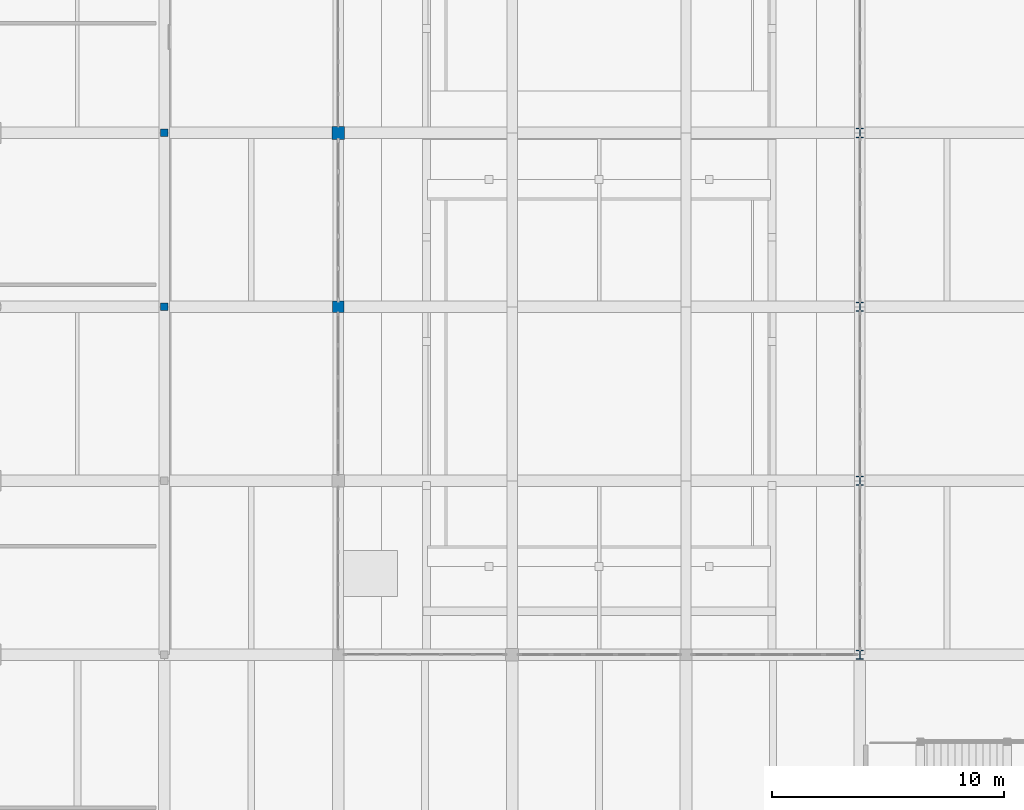
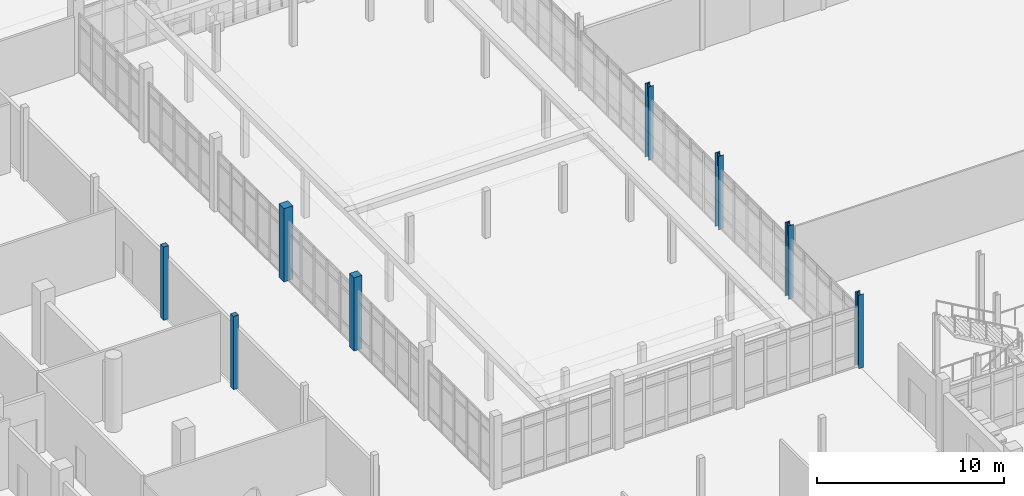
# One storey, part 3 of 125: 8 columns.
"""IFC4 building model written with IfcOpenShell, lengths in metres."""

import ifcopenshell
import ifcopenshell.guid

model = None  # the IFC model being written
_history = None  # IfcOwnerHistory: only IFC2X3 demands one
_inside = {}  # id of a spatial element -> (the spatial element, [elements in it])
_under = {}  # id of a project, library or spatial element -> (it, [spatial elements below it])
_declared = {}  # id of a project -> (the project, [libraries it declares])
_typed = {}  # id of a type object -> (the type object, [elements of that type])
_made_of = {}  # id of a material, layer set ... -> (it, [elements and type objects made of it])


def new_model(schema):
    """Start an empty IFC model of exactly this schema.

    Asked for "IFC4X3", IfcOpenShell would pick the latest addendum, in which some entities
    have other attributes; the version numbers below select the first issue.
    IFC2X3 requires an IfcOwnerHistory on every rooted entity: one is made here for all.
    """
    global model, _history
    if schema == "IFC4X3":
        model = ifcopenshell.file(schema_version=(4, 3, 0, 0))
    else:
        model = ifcopenshell.file(schema=schema)
    _inside.clear()
    _under.clear()
    _declared.clear()
    _typed.clear()
    _made_of.clear()
    _history = None
    if model.schema == "IFC2X3":
        org = make("IfcOrganization", Name="unknown")
        user = make(
            "IfcPersonAndOrganization",
            ThePerson=make("IfcPerson", FamilyName="unknown"),
            TheOrganization=org,
        )
        app = make(
            "IfcApplication",
            ApplicationDeveloper=org,
            Version="unknown",
            ApplicationFullName="unknown",
            ApplicationIdentifier="unknown",
        )
        _history = make(
            "IfcOwnerHistory",
            OwningUser=user,
            OwningApplication=app,
            ChangeAction="ADDED",
            CreationDate=0,
        )
    return model


def make(cls, **values):
    """One entity of the class cls with the attributes given. An attribute that is None is left unset."""
    return model.create_entity(
        cls, **{name: value for name, value in values.items() if value is not None}
    )


def rooted(cls, **values):
    """An entity with a GlobalId (a new one), such as an element, a storey or a relation."""
    return make(cls, GlobalId=ifcopenshell.guid.new(), OwnerHistory=_history, **values)


def si_unit(unit_type, name, prefix=None):
    """IfcSIUnit, for example si_unit("LENGTHUNIT", "METRE", prefix="MILLI")."""
    return make("IfcSIUnit", UnitType=unit_type, Prefix=prefix, Name=name)


def assignment(units):
    """IfcUnitAssignment: the units of a project."""
    return None if units is None else make("IfcUnitAssignment", Units=units)


def point(xyz):
    """IfcCartesianPoint."""
    return None if xyz is None else make("IfcCartesianPoint", Coordinates=xyz)


def direction(xyz):
    """IfcDirection."""
    return None if xyz is None else make("IfcDirection", DirectionRatios=xyz)


def frame(location, z_axis=None, x_axis=None):
    """IfcAxis2Placement3D, a coordinate frame: its origin and axes. An axis left out is left unset."""
    return make(
        "IfcAxis2Placement3D",
        Location=point(location),
        Axis=direction(z_axis),
        RefDirection=direction(x_axis),
    )


def frame_2d(location, x_axis=None):
    """IfcAxis2Placement2D, a coordinate frame in the plane: its origin and x axis."""
    return make(
        "IfcAxis2Placement2D", Location=point(location), RefDirection=direction(x_axis)
    )


def origin():
    """The frame at (0, 0, 0) with its axes left unset."""
    return frame((0.0, 0.0, 0.0))


def origin_2d():
    """The frame at (0, 0) in the plane with its x axis left unset."""
    return frame_2d((0.0, 0.0))


def place(relative_to, where):
    """IfcLocalPlacement: puts the frame where relative to a parent placement (None: the world)."""
    return make(
        "IfcLocalPlacement", PlacementRelTo=relative_to, RelativePlacement=where
    )


def context(
    kind, dimensions, precision=None, world=None, true_north=None, identifier=None
):
    """IfcGeometricRepresentationContext, for example the 3D "Model" context."""
    return make(
        "IfcGeometricRepresentationContext",
        ContextIdentifier=identifier,
        ContextType=kind,
        CoordinateSpaceDimension=dimensions,
        Precision=precision,
        WorldCoordinateSystem=world,
        TrueNorth=true_north,
    )


def subcontext(parent, identifier, kind, view, scale=None):
    """IfcGeometricRepresentationSubContext, for example "Body" below "Model"."""
    return make(
        "IfcGeometricRepresentationSubContext",
        ContextIdentifier=identifier,
        ContextType=kind,
        ParentContext=parent,
        TargetScale=scale,
        TargetView=view,
    )


def project(units=None, contexts=None):
    """IfcProject with its units and contexts."""
    return rooted(
        "IfcProject",
        Name="project",
        RepresentationContexts=contexts,
        UnitsInContext=assignment(units),
    )


def spatial(cls, under=None, at=None, **own):
    """A site, building, storey or space (cls), placed at a placement, below another one or the project."""
    s = rooted(cls, ObjectPlacement=at, **own)
    if under is not None:
        _under.setdefault(under.id(), (under, []))[1].append(s)
    return s


def profile(cls, at=None, kind="AREA", **sizes):
    """A parametric profile (cls). Its sizes go by their IFC names, for example OverallWidth=200.0."""
    return make(cls, ProfileType=kind, Position=at, **sizes)


def rectangle(**sizes):
    """IfcRectangleProfileDef."""
    return profile("IfcRectangleProfileDef", **sizes)


def i_section(**sizes):
    """IfcIShapeProfileDef."""
    return profile("IfcIShapeProfileDef", **sizes)


def extrude(swept, where, along, depth):
    """IfcExtrudedAreaSolid: the profile swept, set in the frame where, extruded along a direction by depth."""
    return make(
        "IfcExtrudedAreaSolid",
        SweptArea=swept,
        Position=where,
        ExtrudedDirection=direction(along),
        Depth=depth,
    )


def shape(context_of_items, identifier, shape_type, items):
    """IfcShapeRepresentation: the items that make up one representation, for example the "Body"."""
    return make(
        "IfcShapeRepresentation",
        ContextOfItems=context_of_items,
        RepresentationIdentifier=identifier,
        RepresentationType=shape_type,
        Items=items,
    )


def material(Name=None, Category=None):
    """IfcMaterial."""
    return make("IfcMaterial", Name=Name, Category=Category)


def material_profile(
    of_material, cross_section, Name=None, Category=None, Priority=None
):
    """IfcMaterialProfile: a cross section and its material."""
    return make(
        "IfcMaterialProfile",
        Name=Name,
        Material=of_material,
        Profile=cross_section,
        Priority=Priority,
        Category=Category,
    )


def profile_set(profiles, Name=None, composite=None):
    """IfcMaterialProfileSet."""
    return make(
        "IfcMaterialProfileSet",
        Name=Name,
        MaterialProfiles=profiles,
        CompositeProfile=composite,
    )


def made_of(thing, what):
    """Note that an element or type object is made of a material, layer set ...; save() writes the relation."""
    if what is not None:
        _made_of.setdefault(what.id(), (what, []))[1].append(thing)
    return thing


def type_object(cls, material=None, **own):
    """A type object (cls), such as IfcWallType, which elements share."""
    return made_of(rooted(cls, **own), material)


def element(
    cls,
    number,
    at=None,
    inside=None,
    cuts=None,
    type_object=None,
    material=None,
    context=None,
    identifier="Body",
    shape_type=None,
    held_by="IfcProductDefinitionShape",
    body=None,
    shapes=None,
    **own,
):
    """One element of the class cls, such as IfcWall. Its Tag is "e" and its number.

    at: its placement. inside: the storey or other place that contains it. cuts: it is an
    opening in that element (IfcRelVoidsElement). A single representation is given by context,
    identifier, shape_type and body (its items); several are given by shapes. held_by: the class
    of the entity that holds the representations. save() writes the other relations.
    """
    e = rooted(cls, Tag="e%d" % number, ObjectPlacement=at, **own)
    if body is not None:
        shapes = [shape(context, identifier, shape_type, body)]
    if shapes is not None:
        e.Representation = make(held_by, Representations=shapes)
    if inside is not None:
        _inside.setdefault(inside.id(), (inside, []))[1].append(e)
    if cuts is not None:
        rooted(
            "IfcRelVoidsElement", RelatingBuildingElement=cuts, RelatedOpeningElement=e
        )
    if type_object is not None:
        _typed.setdefault(type_object.id(), (type_object, []))[1].append(e)
    return made_of(e, material)


def aggregate(whole, parts):
    """IfcRelAggregates: a whole, such as a stair, and the parts it consists of."""
    return rooted("IfcRelAggregates", RelatingObject=whole, RelatedObjects=parts)


def save(model, path):
    """Write the relations noted so far, then the file.

    IfcRelAggregates (storeys below a building ...), IfcRelContainedInSpatialStructure (elements
    in a storey), IfcRelDefinesByType, IfcRelAssociatesMaterial and IfcRelDeclares: one each for
    every whole, place, type object, material and project.
    """
    for whole, parts in _under.values():
        aggregate(whole, parts)
    for where, things in _inside.values():
        rooted(
            "IfcRelContainedInSpatialStructure",
            RelatedElements=things,
            RelatingStructure=where,
        )
    for kind, things in _typed.values():
        rooted("IfcRelDefinesByType", RelatedObjects=things, RelatingType=kind)
    for what, things in _made_of.values():
        rooted("IfcRelAssociatesMaterial", RelatedObjects=things, RelatingMaterial=what)
    for by, libraries in _declared.values():
        rooted("IfcRelDeclares", RelatingContext=by, RelatedDefinitions=libraries)
    model.write(path)


model = new_model("IFC4")

# Units and contexts
model_context = context("Model", 3, precision=1e-05, world=origin(), true_north=direction((0.0, 1.0)))
body_context = subcontext(model_context, "Body", "Model", "MODEL_VIEW")
ifc_project = project(units=[si_unit("LENGTHUNIT", "METRE"), si_unit("AREAUNIT", "SQUARE_METRE"), si_unit("VOLUMEUNIT", "CUBIC_METRE"), si_unit("PLANEANGLEUNIT", "RADIAN"), si_unit("MASSUNIT", "GRAM", prefix="KILO")], contexts=[model_context])

# Site, building, storey
site_placement = place(None, origin())
site = spatial("IfcSite", under=ifc_project, at=site_placement, CompositionType="ELEMENT")
building_placement = place(site_placement, origin())
building = spatial("IfcBuilding", under=site, at=building_placement, Name="Dalvernix Boulevard General Hospital", CompositionType="ELEMENT")
storey_placement = place(building_placement, origin())
storey = spatial("IfcBuildingStorey", under=building, at=storey_placement, Name="L00", CompositionType="ELEMENT", Elevation=0.0)

# Columns
ifc_material_1 = material(Name="Concrete C40/50", Category="concrete")
ifc_material_profile_1 = material_profile(ifc_material_1, rectangle(XDim=0.550048828125, YDim=0.550048828125, at=origin_2d()), Name="RC 550x550")
ifc_profile_set_1 = profile_set([ifc_material_profile_1], Name="Concrete C40/50")
column_type_1 = type_object("IfcColumnType", Name="COL-C-08-E", PredefinedType="COLUMN", material=ifc_profile_set_1)
column_1_placement = place(storey_placement, frame((37.5, 54.0, 0.0), z_axis=(0.0, 0.0, 1.0), x_axis=(1.0, 0.0, 0.0)))
element("IfcColumn", 1, at=column_1_placement, inside=storey, type_object=column_type_1, Name="L00 column 6H", PredefinedType="COLUMN", context=body_context, shape_type="SweptSolid", body=[
    extrude(rectangle(XDim=0.550048828125, YDim=0.550048828125, at=origin_2d()), origin(), (0.0, 0.0, 1.0), 4.800048828125),
])
ifc_material_profile_2 = material_profile(ifc_material_1, rectangle(XDim=0.5, YDim=0.5, at=origin_2d()), Name="RC 500x500")
ifc_profile_set_2 = profile_set([ifc_material_profile_2], Name="Concrete C40/50")
column_type_2 = type_object("IfcColumnType", Name="COL-C-09-E", PredefinedType="COLUMN", material=ifc_profile_set_2)
column_2_placement = place(storey_placement, frame((37.5, 46.5, 0.0), z_axis=(0.0, 0.0, 1.0), x_axis=(1.0, 0.0, 0.0)))
element("IfcColumn", 2, at=column_2_placement, inside=storey, type_object=column_type_2, Name="L00 column 6G", PredefinedType="COLUMN", context=body_context, shape_type="SweptSolid", body=[
    extrude(rectangle(XDim=0.5, YDim=0.5, at=origin_2d()), origin(), (0.0, 0.0, 1.0), 4.800048828125),
])
ifc_material_2 = material(Name="Steel S355", Category="steel")
ifc_material_profile_3 = material_profile(ifc_material_2, i_section(OverallWidth=0.300048828125, OverallDepth=0.39990234375, WebThickness=0.013427734375, FlangeThickness=0.02392578125, FilletRadius=0.027099609375, at=origin_2d()), Name="HEB 400")
ifc_profile_set_3 = profile_set([ifc_material_profile_3], Name="Steel S355")
column_type_3 = type_object("IfcColumnType", Name="COL-C-16-E", PredefinedType="COLUMN", material=ifc_profile_set_3)
for number, where, z_axis, x_axis, name in (
    (3, (60.0, 31.5, 0.0), (0.0, 0.0, 1.0), (1.0, 0.0, 0.0), "L00 column 9E"),
    (4, (60.0, 39.0, 0.0), (0.0, 0.0, 1.0), (1.0, 0.0, 0.0), "L00 column 9F"),
    (5, (60.0, 46.5, 0.0), (0.0, 0.0, 1.0), (1.0, 0.0, 0.0), "L00 column 9G"),
    (6, (60.0, 54.0, 0.0), (0.0, 0.0, 1.0), (1.0, 0.0, 0.0), "L00 column 9H"),
):
    element("IfcColumn", number, at=place(storey_placement, frame(where, z_axis=z_axis, x_axis=x_axis)), inside=storey, type_object=column_type_3, Name=name, PredefinedType="COLUMN", context=body_context, shape_type="SweptSolid", body=[
        extrude(i_section(OverallWidth=0.300048828125, OverallDepth=0.39990234375, WebThickness=0.013427734375, FlangeThickness=0.02392578125, FilletRadius=0.027099609375, at=origin_2d()), origin(), (0.0, 0.0, 1.0), 4.800048828125),
    ])
ifc_material_3 = material(Name="Glulam GL28h", Category="wood")
ifc_material_profile_4 = material_profile(ifc_material_3, rectangle(XDim=0.320068359375, YDim=0.320068359375, at=origin_2d()), Name="GL28h 320x320")
ifc_profile_set_4 = profile_set([ifc_material_profile_4], Name="Glulam GL28h")
column_type_4 = type_object("IfcColumnType", Name="COL-C-20-I", PredefinedType="COLUMN", material=ifc_profile_set_4)
for number, where, z_axis, x_axis, name in (
    (7, (30.0, 46.5, 0.0), (0.0, 0.0, 1.0), (1.0, 0.0, 0.0), "L00 column 5G"),
    (8, (30.0, 54.0, 0.0), (0.0, 0.0, 1.0), (1.0, 0.0, 0.0), "L00 column 5H"),
):
    element("IfcColumn", number, at=place(storey_placement, frame(where, z_axis=z_axis, x_axis=x_axis)), inside=storey, type_object=column_type_4, Name=name, PredefinedType="COLUMN", context=body_context, shape_type="SweptSolid", body=[
        extrude(rectangle(XDim=0.320068359375, YDim=0.320068359375, at=origin_2d()), origin(), (0.0, 0.0, 1.0), 4.800048828125),
    ])

save(model, "model.ifc")
